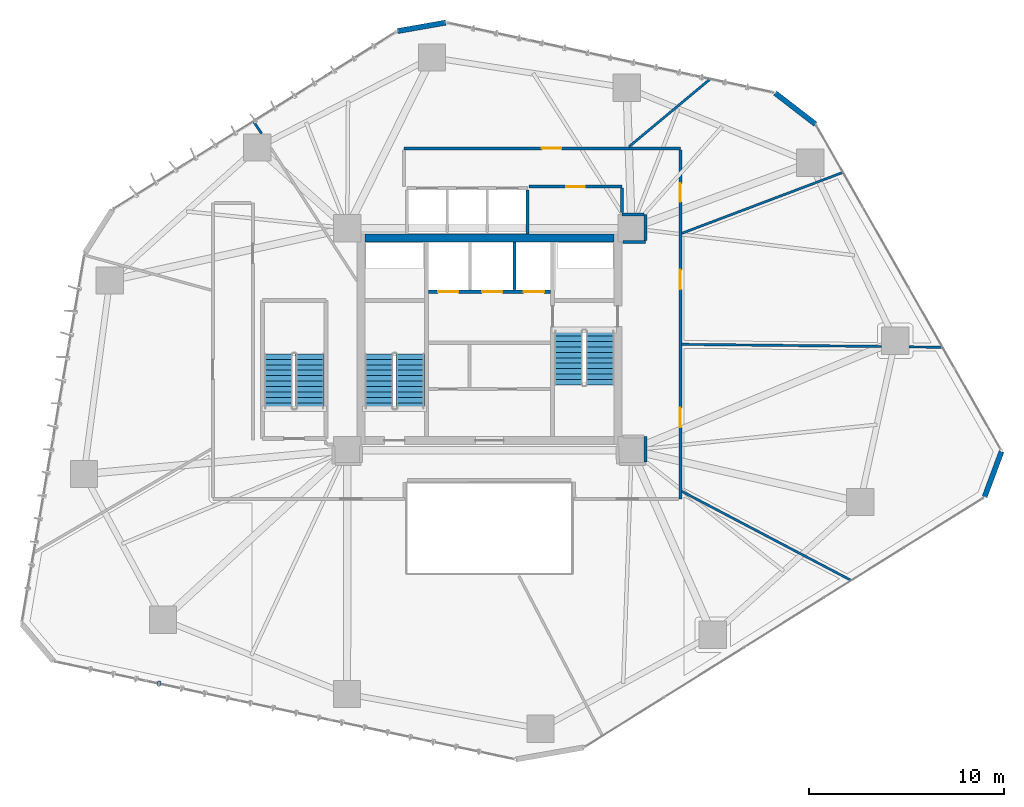
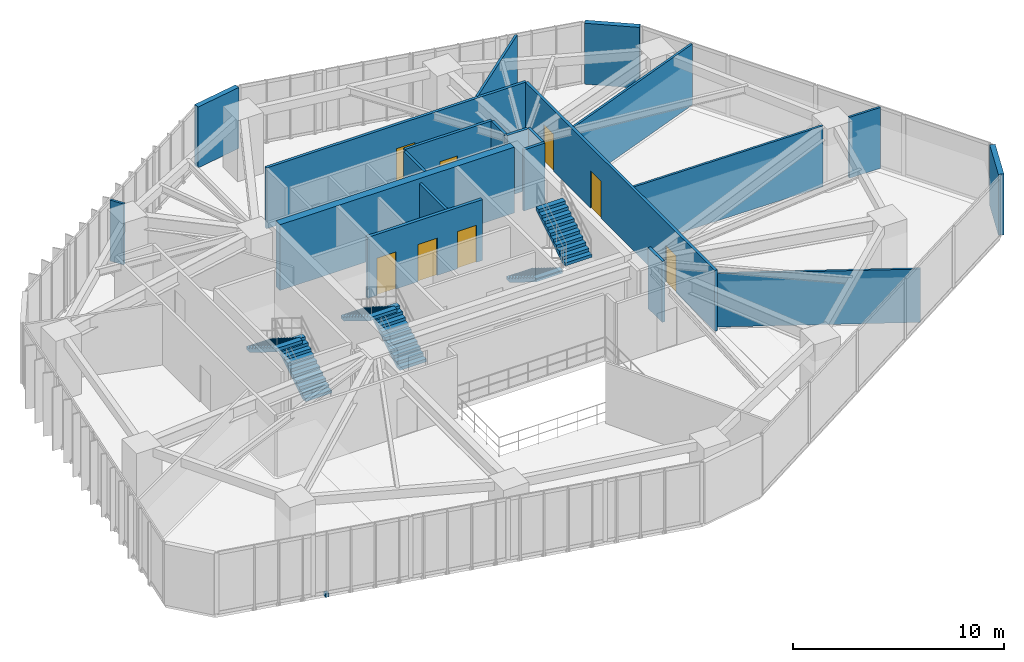
# One storey, part 18 of 22: 21 walls, 8 doors, 6 stair flights, 1 discrete accessory, 8 openings, 3 elements without a shape of their own.
"""IFC4 building model written with IfcOpenShell, lengths in metres."""

from ifc_helpers import new_model, si_unit, direction, frame, frame_2d, origin, origin_2d, place, context, subcontext, project, spatial, polyline, rectangle, outline, extrude, source, transform, mapped, material, layer, layer_set, type_object, type_shapes, element, fill, aggregate, save


model = new_model("IFC4")

# Units and contexts
model_context = context("Model", 3, precision=1e-05, world=origin(), true_north=direction((0.0, 1.0)))
body_context = subcontext(model_context, "Body", "Model", "MODEL_VIEW")
ifc_project = project(units=[si_unit("LENGTHUNIT", "METRE"), si_unit("AREAUNIT", "SQUARE_METRE"), si_unit("VOLUMEUNIT", "CUBIC_METRE"), si_unit("PLANEANGLEUNIT", "RADIAN"), si_unit("MASSUNIT", "GRAM", prefix="KILO")], contexts=[model_context])

# Site, building, storey
site_placement = place(None, origin())
site = spatial("IfcSite", under=ifc_project, at=site_placement, CompositionType="ELEMENT")
building_placement = place(site_placement, origin())
building = spatial("IfcBuilding", under=site, at=building_placement, Name="Talar Marvaseh", CompositionType="ELEMENT")
storey_placement = place(building_placement, frame((0.0, 0.0, 54.39990234375)))
storey = spatial("IfcBuildingStorey", under=building, at=storey_placement, Name="L13", CompositionType="ELEMENT", Elevation=54.39990234375)

# Walls
ifc_material_1 = material(Name="Precast concrete C45/55", Category="concrete")
ifc_layer_1 = layer(ifc_material_1, 0.27001953125)
ifc_layer_set_1 = layer_set([ifc_layer_1], Name="Precast concrete C45/55")
wall_type_1 = type_object("IfcWallType", Name="Chamfered Hexagonal Corner Pier Wall Z1 270", PredefinedType="SOLIDWALL", material=ifc_layer_set_1)
wall_1_placement = place(storey_placement, frame((21.279541015625, 47.027099609375, 0.0), z_axis=(0.0, 0.0, 1.0), x_axis=(0.984816754443, 0.173597120278, 0.0)))
element("IfcWall", 1, at=wall_1_placement, inside=storey, type_object=wall_type_1, Name="L13 Chamfered Corner Limestone Pier 3", PredefinedType="SOLIDWALL", context=body_context, shape_type="SweptSolid", body=[
    extrude(rectangle(XDim=2.515869140625, YDim=0.27001953125, at=frame_2d((1.2578125, 0.0))), origin(), (0.0, 0.0, 1.0), 3.52001953125),
])
wall_2_placement = place(storey_placement, frame((40.670654296875, 43.84619140625, 0.0), z_axis=(0.0, 0.0, 1.0), x_axis=(0.792000821983, -0.610520022586, 0.0)))
element("IfcWall", 2, at=wall_2_placement, inside=storey, type_object=wall_type_1, Name="L13 Chamfered Corner Limestone Pier 4", PredefinedType="SOLIDWALL", context=body_context, shape_type="SweptSolid", body=[
    extrude(rectangle(XDim=2.623291015625, YDim=0.27001953125, at=frame_2d((1.3115234375, 0.0))), origin(), (0.0, 0.0, 1.0), 3.52001953125),
])
wall_3_placement = place(storey_placement, frame((52.30029296875, 25.43310546875, 0.0), z_axis=(0.0, 0.0, 1.0), x_axis=(-0.349087024772, -0.937090310021, 0.0)))
element("IfcWall", 3, at=wall_3_placement, inside=storey, type_object=wall_type_1, Name="L13 Chamfered Corner Limestone Pier 5", PredefinedType="SOLIDWALL", context=body_context, shape_type="SweptSolid", body=[
    extrude(rectangle(XDim=2.484130859375, YDim=0.27001953125, at=frame_2d((1.2421875, 0.0))), origin(), (0.0, 0.0, 1.0), 3.52001953125),
])

# Wall, opening, door
ifc_material_2 = material(Name="Gypsum Board Partition Assembly")
ifc_layer_2 = layer(ifc_material_2, 0.155029296875)
ifc_layer_set_2 = layer_set([ifc_layer_2], Name="Gypsum Board Partition Assembly")
wall_type_2 = type_object("IfcWallType", Name="Corridor Fire-Rated Acoustic Partition 155", PredefinedType="PARTITIONING", material=ifc_layer_set_2)
wall_4_placement = place(storey_placement, frame((32.800048828125, 39.0400390625, 0.0), z_axis=(0.0, 0.0, 1.0), x_axis=(-1.0, 0.0, 0.0)))
wall_4 = element("IfcWall", 4, at=wall_4_placement, inside=storey, type_object=wall_type_2, Name="L13 Interior Partition Wall", PredefinedType="PARTITIONING", context=body_context, shape_type="SweptSolid", body=[
    extrude(rectangle(XDim=4.77001953125, YDim=0.155029296875, at=frame_2d((2.385009765625, 0.0))), origin(), (0.0, 0.0, 1.0), 3.52001953125),
])
opening_1_placement = place(wall_4_placement, frame((1.909912109375, 0.0, 0.0)))
opening_1 = element("IfcOpeningElement", 5, at=opening_1_placement, cuts=wall_4, Name="Opening DR-WC095", PredefinedType="OPENING", context=body_context, shape_type="SweptSolid", body=[
    extrude(rectangle(XDim=0.949951171875, YDim=2.14990234375, at=frame_2d((0.47509765625, 1.074951171875))), frame((0.0, 0.08740234375, 0.0), z_axis=(0.0, -1.0, 0.0), x_axis=(1.0, 0.0, 0.0)), (0.0, 0.0, 1.0), 0.175048828125),
])
ifc_material_3 = material(Name="Acoustic Engineered Oak Timber", Category="wood")
door_type_1 = type_object("IfcDoorType", Name="Washroom and Service Room Door 950x2150", OperationType="NOTDEFINED", PredefinedType="DOOR", material=ifc_material_3)
shared_shape_1 = source(origin(), body_context, "Body", "SweptSolid", [
    extrude(rectangle(XDim=0.949951171875, YDim=2.14990234375, at=frame_2d((0.47509765625, 1.074951171875))), frame((0.0, 0.02490234375, 0.0), z_axis=(0.0, -1.0, 0.0), x_axis=(1.0, 0.0, 0.0)), (0.0, 0.0, 1.0), 0.050048828125),
])
type_shapes(door_type_1, [shared_shape_1])
door_1_placement = place(opening_1_placement, origin())
door_1 = element("IfcDoor", 6, at=door_1_placement, inside=storey, type_object=door_type_1, Name="L13 WC Public Washrooms Door", OperationType="SINGLE_SWING_LEFT", OverallHeight=2.14990234375, OverallWidth=0.949951171875, PredefinedType="DOOR", context=body_context, shape_type="MappedRepresentation", body=[
    mapped(shared_shape_1, transform((0.0, 0.0, 0.0), x_axis=(1.0, 0.0, 0.0), y_axis=(0.0, 1.0, 0.0), z_axis=(0.0, 0.0, 1.0), scale=1.0)),
])
fill(opening_1, door_1)

wall_5_placement = place(storey_placement, frame((21.60009765625, 41.0, 0.0), z_axis=(0.0, 0.0, 1.0), x_axis=(1.0, 0.0, 0.0)))
wall_5 = element("IfcWall", 7, at=wall_5_placement, inside=storey, type_object=wall_type_2, Name="L13 Interior Partition Wall", PredefinedType="PARTITIONING", context=body_context, shape_type="SweptSolid", body=[
    extrude(rectangle(XDim=14.199951171875, YDim=0.155029296875, at=frame_2d((7.10009765625, 0.0))), origin(), (0.0, 0.0, 1.0), 3.52001953125),
])
opening_2_placement = place(wall_5_placement, frame((7.090087890625, 0.0, 0.0)))
opening_2 = element("IfcOpeningElement", 8, at=opening_2_placement, cuts=wall_5, Name="Opening DR-RM100", PredefinedType="OPENING", context=body_context, shape_type="SweptSolid", body=[
    extrude(rectangle(XDim=1.0, YDim=2.14990234375, at=frame_2d((0.5, 1.074951171875))), frame((0.0, 0.08740234375, 0.0), z_axis=(0.0, -1.0, 0.0), x_axis=(1.0, 0.0, 0.0)), (0.0, 0.0, 1.0), 0.175048828125),
])
door_type_2 = type_object("IfcDoorType", Name="Corridor Fire-Rated Gallery Door 1000x2150", OperationType="NOTDEFINED", PredefinedType="DOOR", material=ifc_material_3)
shared_shape_2 = source(origin(), body_context, "Body", "SweptSolid", [
    extrude(rectangle(XDim=1.0, YDim=2.14990234375, at=frame_2d((0.5, 1.074951171875))), frame((0.0, 0.02490234375, 0.0), z_axis=(0.0, -1.0, 0.0), x_axis=(1.0, 0.0, 0.0)), (0.0, 0.0, 1.0), 0.050048828125),
])
type_shapes(door_type_2, [shared_shape_2])
door_2_placement = place(opening_2_placement, origin())
door_2 = element("IfcDoor", 9, at=door_2_placement, inside=storey, type_object=door_type_2, Name="L13 Chamber Recital Salon Door", OperationType="SINGLE_SWING_RIGHT", OverallHeight=2.14990234375, OverallWidth=1.0, PredefinedType="DOOR", context=body_context, shape_type="MappedRepresentation", body=[
    mapped(shared_shape_2, transform((0.0, 0.0, 0.0), x_axis=(1.0, 0.0, 0.0), y_axis=(0.0, 1.0, 0.0), z_axis=(0.0, 0.0, 1.0), scale=1.0)),
])
fill(opening_2, door_2)

# Wall, openings, doors
wall_6_placement = place(storey_placement, frame((35.800048828125, 40.91650390625, 0.0), z_axis=(0.0, 0.0, 1.0), x_axis=(0.0, -1.0, 0.0)))
wall_6 = element("IfcWall", 10, at=wall_6_placement, inside=storey, type_object=wall_type_2, Name="L13 Interior Partition Wall", PredefinedType="PARTITIONING", context=body_context, shape_type="SweptSolid", body=[
    extrude(rectangle(XDim=17.91650390625, YDim=0.155029296875, at=frame_2d((8.958251953125, 0.0))), origin(), (0.0, 0.0, 1.0), 3.52001953125),
])
opening_3_placement = place(wall_6_placement, frame((13.242919921875, 0.0, 0.0)))
opening_3 = element("IfcOpeningElement", 11, at=opening_3_placement, cuts=wall_6, Name="Opening DR-RM100", PredefinedType="OPENING", context=body_context, shape_type="SweptSolid", body=[
    extrude(rectangle(XDim=1.0, YDim=2.14990234375, at=frame_2d((0.5, 1.074951171875))), frame((0.0, 0.08740234375, 0.0), z_axis=(0.0, -1.0, 0.0), x_axis=(1.0, 0.0, 0.0)), (0.0, 0.0, 1.0), 0.175048828125),
])
opening_4_placement = place(wall_6_placement, frame((6.158203125, 0.0, 0.0)))
opening_4 = element("IfcOpeningElement", 12, at=opening_4_placement, cuts=wall_6, Name="Opening DR-RM100", PredefinedType="OPENING", context=body_context, shape_type="SweptSolid", body=[
    extrude(rectangle(XDim=1.0, YDim=2.14990234375, at=frame_2d((0.5, 1.074951171875))), frame((0.0, 0.08740234375, 0.0), z_axis=(0.0, -1.0, 0.0), x_axis=(1.0, 0.0, 0.0)), (0.0, 0.0, 1.0), 0.175048828125),
])
opening_5_placement = place(wall_6_placement, frame((1.70458984375, 0.0, 0.0)))
opening_5 = element("IfcOpeningElement", 13, at=opening_5_placement, cuts=wall_6, Name="Opening DR-WC095", PredefinedType="OPENING", context=body_context, shape_type="SweptSolid", body=[
    extrude(rectangle(XDim=0.949951171875, YDim=2.14990234375, at=frame_2d((0.47509765625, 1.074951171875))), frame((0.0, 0.08740234375, 0.0), z_axis=(0.0, -1.0, 0.0), x_axis=(1.0, 0.0, 0.0)), (0.0, 0.0, 1.0), 0.175048828125),
])
door_3_placement = place(opening_5_placement, origin())
door_3 = element("IfcDoor", 14, at=door_3_placement, inside=storey, type_object=door_type_1, Name="L13 Accessible WC Block Door", OperationType="SINGLE_SWING_RIGHT", OverallHeight=2.14990234375, OverallWidth=0.949951171875, PredefinedType="DOOR", context=body_context, shape_type="MappedRepresentation", body=[
    mapped(shared_shape_1, transform((0.0, 0.0, 0.0), x_axis=(1.0, 0.0, 0.0), y_axis=(0.0, 1.0, 0.0), z_axis=(0.0, 0.0, 1.0), scale=1.0)),
])
fill(opening_5, door_3)
door_4_placement = place(opening_3_placement, origin())
door_4 = element("IfcDoor", 15, at=door_4_placement, inside=storey, type_object=door_type_2, Name="L13 Main Reading Room Door", OperationType="SINGLE_SWING_RIGHT", OverallHeight=2.14990234375, OverallWidth=1.0, PredefinedType="DOOR", context=body_context, shape_type="MappedRepresentation", body=[
    mapped(shared_shape_2, transform((0.0, 0.0, 0.0), x_axis=(1.0, 0.0, 0.0), y_axis=(0.0, 1.0, 0.0), z_axis=(0.0, 0.0, 1.0), scale=1.0)),
])
fill(opening_3, door_4)
door_5_placement = place(opening_4_placement, origin())
door_5 = element("IfcDoor", 16, at=door_5_placement, inside=storey, type_object=door_type_2, Name="L13 Visitor Orientation Foyer Door", OperationType="SINGLE_SWING_LEFT", OverallHeight=2.14990234375, OverallWidth=1.0, PredefinedType="DOOR", context=body_context, shape_type="MappedRepresentation", body=[
    mapped(shared_shape_2, transform((0.0, 0.0, 0.0), x_axis=(1.0, 0.0, 0.0), y_axis=(0.0, 1.0, 0.0), z_axis=(0.0, 0.0, 1.0), scale=1.0)),
])
fill(opening_4, door_5)

# Walls
wall_7_placement = place(storey_placement, frame((34.014892578125, 24.883544921875, 0.0), z_axis=(0.0, 0.0, 1.0), x_axis=(-0.002393659134, 0.999997135194, 0.0)))
element("IfcWall", 17, at=wall_7_placement, inside=storey, type_object=wall_type_2, Name="L13 Interior Partition Wall", PredefinedType="PARTITIONING", context=body_context, shape_type="SweptSolid", body=[
    extrude(rectangle(XDim=1.325927734375, YDim=0.155029296875, at=frame_2d((0.6630859375, 0.0))), origin(), (0.0, 0.0, 1.0), 3.52001953125),
])
wall_8_placement = place(storey_placement, frame((32.8701171875, 36.18505859375, 0.0), z_axis=(0.0, 0.0, 1.0), x_axis=(0.999988932255, 0.00470482389, 0.0)))
element("IfcWall", 18, at=wall_8_placement, inside=storey, type_object=wall_type_2, Name="L13 Interior Partition Wall", PredefinedType="PARTITIONING", context=body_context, shape_type="SweptSolid", body=[
    extrude(rectangle(XDim=1.1416015625, YDim=0.155029296875, at=frame_2d((0.57080078125, 0.0))), origin(), (0.0, 0.0, 1.0), 3.52001953125),
])
wall_9_placement = place(storey_placement, frame((34.01171875, 36.27392578125, 0.0), z_axis=(0.0, 0.0, 1.0), x_axis=(0.0, 1.0, 0.0)))
element("IfcWall", 19, at=wall_9_placement, inside=storey, type_object=wall_type_2, Name="L13 Interior Partition Wall", PredefinedType="PARTITIONING", context=body_context, shape_type="SweptSolid", body=[
    extrude(rectangle(XDim=1.335693359375, YDim=0.155029296875, at=frame_2d((0.66796875, 0.0))), origin(), (0.0, 0.0, 1.0), 3.52001953125),
])
wall_10_placement = place(storey_placement, frame((33.927978515625, 37.60986328125, 0.0), z_axis=(0.0, 0.0, 1.0), x_axis=(-0.999989669582, 0.004545407589, 0.0)))
element("IfcWall", 20, at=wall_10_placement, inside=storey, type_object=wall_type_2, Name="L13 Interior Partition Wall", PredefinedType="PARTITIONING", context=body_context, shape_type="SweptSolid", body=[
    extrude(rectangle(XDim=1.1279296875, YDim=0.155029296875, at=frame_2d((0.56396484375, 0.0))), origin(), (0.0, 0.0, 1.0), 3.52001953125),
])
wall_11_placement = place(storey_placement, frame((32.800048828125, 37.698486328125, 0.0), z_axis=(0.0, 0.0, 1.0), x_axis=(0.0, 1.0, 0.0)))
element("IfcWall", 21, at=wall_11_placement, inside=storey, type_object=wall_type_2, Name="L13 Interior Partition Wall", PredefinedType="PARTITIONING", context=body_context, shape_type="SweptSolid", body=[
    extrude(rectangle(XDim=1.258056640625, YDim=0.155029296875, at=frame_2d((0.62890625, 0.0))), origin(), (0.0, 0.0, 1.0), 3.52001953125),
])
ifc_layer_3 = layer(ifc_material_2, 0.1201171875)
ifc_layer_set_3 = layer_set([ifc_layer_3], Name="Gypsum Board Partition Assembly")
wall_type_3 = type_object("IfcWallType", Name="Demountable Studio Room Partition 120", PredefinedType="PARTITIONING", material=ifc_layer_set_3)
wall_12_placement = place(storey_placement, frame((35.883544921875, 23.385986328125, 0.0), z_axis=(0.0, 0.0, 1.0), x_axis=(0.885174651258, -0.465258892198, 0.0)))
element("IfcWall", 22, at=wall_12_placement, inside=storey, type_object=wall_type_3, Name="L13 Interior Partition Wall", PredefinedType="PARTITIONING", context=body_context, shape_type="SweptSolid", body=[
    extrude(rectangle(XDim=9.8046875, YDim=0.1201171875, at=frame_2d((4.90234375, 0.0))), origin(), (0.0, 0.0, 1.0), 3.08203125),
])
wall_13_placement = place(storey_placement, frame((35.864990234375, 30.939208984375, 0.0), z_axis=(0.0, 0.0, 1.0), x_axis=(0.999943490753, -0.01063086551, 0.0)))
element("IfcWall", 23, at=wall_13_placement, inside=storey, type_object=wall_type_3, Name="L13 Interior Partition Wall", PredefinedType="PARTITIONING", context=body_context, shape_type="SweptSolid", body=[
    extrude(rectangle(XDim=10.265380859375, YDim=0.1201171875, at=frame_2d((5.1328125, 0.0))), origin(), (0.0, 0.0, 1.0), 3.52001953125),
])
wall_14_placement = place(storey_placement, frame((47.56005859375, 30.81005859375, 0.0), z_axis=(0.0, 0.0, 1.0), x_axis=(0.999908018748, -0.013562965911, 0.0)))
element("IfcWall", 24, at=wall_14_placement, inside=storey, type_object=wall_type_3, Name="L13 Interior Partition Wall", PredefinedType="PARTITIONING", context=body_context, shape_type="SweptSolid", body=[
    extrude(rectangle(XDim=1.692138671875, YDim=0.1201171875, at=frame_2d((0.84619140625, 0.0))), origin(), (0.0, 0.0, 1.0), 3.52001953125),
])
wall_15_placement = place(storey_placement, frame((35.883544921875, 36.6416015625, 0.0), z_axis=(0.0, 0.0, 1.0), x_axis=(0.93534093916, 0.353747547739, 0.0)))
element("IfcWall", 25, at=wall_15_placement, inside=storey, type_object=wall_type_3, Name="L13 Interior Partition Wall", PredefinedType="PARTITIONING", context=body_context, shape_type="SweptSolid", body=[
    extrude(rectangle(XDim=8.824951171875, YDim=0.1201171875, at=frame_2d((4.41259765625, 0.0))), origin(), (0.0, 0.0, 1.0), 3.52001953125),
])
wall_16_placement = place(storey_placement, frame((33.16015625, 41.08349609375, 0.0), z_axis=(0.0, 0.0, 1.0), x_axis=(0.768224976482, 0.640179963376, 0.0)))
element("IfcWall", 26, at=wall_16_placement, inside=storey, type_object=wall_type_3, Name="L13 Interior Partition Wall", PredefinedType="PARTITIONING", context=body_context, shape_type="SweptSolid", body=[
    extrude(rectangle(XDim=5.4130859375, YDim=0.1201171875, at=frame_2d((2.70654296875, 0.0))), origin(), (0.0, 0.0, 1.0), 3.52001953125),
])
wall_17_placement = place(storey_placement, frame((14.300048828125, 41.760009765625, 0.0), z_axis=(0.0, 0.0, 1.0), x_axis=(-0.550643837599, 0.834740297406, 0.0)))
element("IfcWall", 27, at=wall_17_placement, inside=storey, type_object=wall_type_3, Name="L13 Interior Partition Wall", PredefinedType="PARTITIONING", context=body_context, shape_type="SweptSolid", body=[
    extrude(rectangle(XDim=0.7373046875, YDim=0.1201171875, at=frame_2d((0.36865234375, 0.0))), origin(), (0.0, 0.0, 1.0), 3.52001953125),
])
ifc_layer_4 = layer(ifc_material_1, 0.14501953125)
ifc_layer_set_4 = layer_set([ifc_layer_4], Name="Precast concrete C45/55")
wall_type_4 = type_object("IfcWallType", Name="Fire-Rated Lift Divider Wall 145", PredefinedType="SOLIDWALL", material=ifc_layer_set_4)
wall_18_placement = place(storey_placement, frame((27.280029296875, 33.743408203125, 0.0), z_axis=(0.0, 0.0, 1.0), x_axis=(0.0, 1.0, 0.0)))
element("IfcWall", 28, at=wall_18_placement, inside=storey, type_object=wall_type_4, Name="L13 FFL-2/SVL-1 Divider", PredefinedType="SOLIDWALL", context=body_context, shape_type="SweptSolid", body=[
    extrude(rectangle(XDim=2.45654296875, YDim=0.14501953125, at=frame_2d((1.228271484375, 0.0))), origin(), (0.0, 0.0, 1.0), 3.52001953125),
])
wall_19_placement = place(storey_placement, frame((27.9599609375, 36.60009765625, 0.0), z_axis=(0.0, 0.0, 1.0), x_axis=(0.0, 1.0, 0.0)))
element("IfcWall", 29, at=wall_19_placement, inside=storey, type_object=wall_type_4, Name="L13 Low-Rise Bank East Wall", PredefinedType="SOLIDWALL", context=body_context, shape_type="SweptSolid", body=[
    extrude(rectangle(XDim=2.266357421875, YDim=0.14501953125, at=frame_2d((1.13330078125, 0.0))), origin(), (0.0, 0.0, 1.0), 3.52001953125),
])

# Wall, openings, doors
ifc_layer_5 = layer(ifc_material_1, 0.175048828125)
ifc_layer_set_5 = layer_set([ifc_layer_5], Name="Precast concrete C45/55")
wall_type_5 = type_object("IfcWallType", Name="Fire-Rated Lift Hoistway Enclosure Wall 175", PredefinedType="SOLIDWALL", material=ifc_layer_set_5)
wall_20_placement = place(storey_placement, frame((22.860107421875, 33.64990234375, 0.0), z_axis=(0.0, 0.0, 1.0), x_axis=(1.0, 0.0, 0.0)))
wall_20 = element("IfcWall", 30, at=wall_20_placement, inside=storey, type_object=wall_type_5, Name="L13 Firefighting and Service Lift Front Wall", PredefinedType="SOLIDWALL", context=body_context, shape_type="SweptSolid", body=[
    extrude(rectangle(XDim=6.27978515625, YDim=0.175048828125, at=frame_2d((3.139892578125, 0.0))), origin(), (0.0, 0.0, 1.0), 3.52001953125),
])
opening_6_placement = place(wall_20_placement, frame((0.5, 0.0, 0.0)))
opening_6 = element("IfcOpeningElement", 31, at=opening_6_placement, cuts=wall_20, Name="Opening LD-FF1", PredefinedType="OPENING", context=body_context, shape_type="SweptSolid", body=[
    extrude(rectangle(XDim=1.050048828125, YDim=2.14990234375, at=frame_2d((0.52490234375, 1.074951171875))), frame((0.0, 0.09765625, 0.0), z_axis=(0.0, -1.0, 0.0), x_axis=(1.0, 0.0, 0.0)), (0.0, 0.0, 1.0), 0.195068359375),
])
opening_7_placement = place(wall_20_placement, frame((2.760009765625, 0.0, 0.0)))
opening_7 = element("IfcOpeningElement", 32, at=opening_7_placement, cuts=wall_20, Name="Opening LD-FF2", PredefinedType="OPENING", context=body_context, shape_type="SweptSolid", body=[
    extrude(rectangle(XDim=1.050048828125, YDim=2.14990234375, at=frame_2d((0.52490234375, 1.074951171875))), frame((0.0, 0.09765625, 0.0), z_axis=(0.0, -1.0, 0.0), x_axis=(1.0, 0.0, 0.0)), (0.0, 0.0, 1.0), 0.195068359375),
])
opening_8_placement = place(wall_20_placement, frame((4.89990234375, 0.0, 0.0)))
opening_8 = element("IfcOpeningElement", 33, at=opening_8_placement, cuts=wall_20, Name="Opening LD-SV1", PredefinedType="OPENING", context=body_context, shape_type="SweptSolid", body=[
    extrude(rectangle(XDim=1.050048828125, YDim=2.14990234375, at=frame_2d((0.52490234375, 1.074951171875))), frame((0.0, 0.09765625, 0.0), z_axis=(0.0, -1.0, 0.0), x_axis=(1.0, 0.0, 0.0)), (0.0, 0.0, 1.0), 0.195068359375),
])
ifc_material_4 = material(Name="Stainless Steel Grade 316", Category="steel")
door_type_3 = type_object("IfcDoorType", Name="Automatic Sliding Lift Landing Door 1050x2150", OperationType="NOTDEFINED", PredefinedType="DOOR", material=ifc_material_4)
shared_shape_3 = source(origin(), body_context, "Body", "SweptSolid", [
    extrude(rectangle(XDim=1.050048828125, YDim=2.14990234375, at=frame_2d((0.52490234375, 1.074951171875))), frame((0.0, 0.02490234375, 0.0), z_axis=(0.0, -1.0, 0.0), x_axis=(1.0, 0.0, 0.0)), (0.0, 0.0, 1.0), 0.050048828125),
])
type_shapes(door_type_3, [shared_shape_3])
door_6_placement = place(opening_6_placement, origin())
door_6 = element("IfcDoor", 34, at=door_6_placement, inside=storey, type_object=door_type_3, Name="L13 Lift FFL-1 Sliding Landing Door", OperationType="SLIDING_TO_LEFT", OverallHeight=2.14990234375, OverallWidth=1.050048828125, PredefinedType="DOOR", context=body_context, shape_type="MappedRepresentation", body=[
    mapped(shared_shape_3, transform((0.0, 0.0, 0.0), x_axis=(1.0, 0.0, 0.0), y_axis=(0.0, 1.0, 0.0), z_axis=(0.0, 0.0, 1.0), scale=1.0)),
])
fill(opening_6, door_6)
door_7_placement = place(opening_7_placement, origin())
door_7 = element("IfcDoor", 35, at=door_7_placement, inside=storey, type_object=door_type_3, Name="L13 Lift FFL-2 Sliding Landing Door", OperationType="SLIDING_TO_LEFT", OverallHeight=2.14990234375, OverallWidth=1.050048828125, PredefinedType="DOOR", context=body_context, shape_type="MappedRepresentation", body=[
    mapped(shared_shape_3, transform((0.0, 0.0, 0.0), x_axis=(1.0, 0.0, 0.0), y_axis=(0.0, 1.0, 0.0), z_axis=(0.0, 0.0, 1.0), scale=1.0)),
])
fill(opening_7, door_7)
door_8_placement = place(opening_8_placement, origin())
door_8 = element("IfcDoor", 36, at=door_8_placement, inside=storey, type_object=door_type_3, Name="L13 Lift SVL-1 Sliding Landing Door", OperationType="SLIDING_TO_LEFT", OverallHeight=2.14990234375, OverallWidth=1.050048828125, PredefinedType="DOOR", context=body_context, shape_type="MappedRepresentation", body=[
    mapped(shared_shape_3, transform((0.0, 0.0, 0.0), x_axis=(1.0, 0.0, 0.0), y_axis=(0.0, 1.0, 0.0), z_axis=(0.0, 0.0, 1.0), scale=1.0)),
])
fill(opening_8, door_8)

# Wall
ifc_material_5 = material(Name="Concrete C70/85", Category="concrete")
ifc_layer_6 = layer(ifc_material_5, 0.39990234375)
ifc_layer_set_6 = layer_set([ifc_layer_6], Name="Concrete C70/85")
wall_type_6 = type_object("IfcWallType", Name="Lower Core Reinforced Concrete Shear Wall 400", PredefinedType="SHEAR", material=ifc_layer_set_6)
wall_21_placement = place(storey_placement, frame((19.60009765625, 36.39990234375, 0.0), z_axis=(0.0, 0.0, 1.0), x_axis=(1.0, 0.0, 0.0)))
element("IfcWall", 37, at=wall_21_placement, inside=storey, type_object=wall_type_6, Name="L13 North Core Shear Wall", PredefinedType="SHEAR", context=body_context, shape_type="SweptSolid", body=[
    extrude(rectangle(XDim=12.7998046875, YDim=0.39990234375, at=frame_2d((6.39990234375, 0.0))), origin(), (0.0, 0.0, 1.0), 3.800048828125),
])

# Stair, stair flights
ifc_material_6 = material(Name="Concrete C40/50", Category="concrete")
stair_type = type_object("IfcStairType", Name="Reinforced Concrete Half-Turn Exit Stair Type B", PredefinedType="HALF_TURN_STAIR", material=ifc_material_6)
stair_1_placement = place(storey_placement, origin())
stair_1 = element("IfcStair", 38, at=stair_1_placement, inside=storey, type_object=stair_type, Name="L13 Tower West Core Exit Stair", PredefinedType="HALF_TURN_STAIR")
ifc_layer_7 = layer(ifc_material_6, 0.159912109375)
ifc_layer_set_7 = layer_set([ifc_layer_7], Name="Concrete C40/50")
stair_flight_type = type_object("IfcStairFlightType", Name="Reinforced Concrete Straight Stair Flight 160", PredefinedType="STRAIGHT", material=ifc_layer_set_7)
stair_flight_1_placement = place(storey_placement, frame((21.93505859375, 27.64990234375, 0.0), z_axis=(0.0, 0.0, 1.0), x_axis=(0.0, 1.0, 0.0)))
stair_flight_1 = element("IfcStairFlight", 39, at=stair_flight_1_placement, type_object=stair_flight_type, Name="ST-1 flight 1", NumberOfRisers=11, NumberOfTreads=10, PredefinedType="STRAIGHT", RiserHeight=0.172727273, TreadLength=0.28, context=body_context, shape_type="SweptSolid", body=[
    extrude(outline(polyline([(0.0, 0.0), (0.0, 0.172607421875), (0.280029296875, 0.172607421875), (0.280029296875, 0.345458984375), (0.56005859375, 0.345458984375), (0.56005859375, 0.51806640625), (0.840087890625, 0.51806640625), (0.840087890625, 0.69091796875), (1.1201171875, 0.69091796875), (1.1201171875, 0.863525390625), (1.39990234375, 0.863525390625), (1.39990234375, 1.036376953125), (1.679931640625, 1.036376953125), (1.679931640625, 1.208984375), (1.9599609375, 1.208984375), (1.9599609375, 1.3818359375), (2.239990234375, 1.3818359375), (2.239990234375, 1.554443359375), (2.52001953125, 1.554443359375), (2.52001953125, 1.727294921875), (2.800048828125, 1.727294921875), (2.800048828125, 1.89990234375), (2.800048828125, 1.539306640625), (0.3046875, 0.0), (0.0, 0.0)])), frame((0.0, 0.72509765625, 0.0), z_axis=(0.0, -1.0, 0.0), x_axis=(1.0, 0.0, 0.0)), (0.0, 0.0, 1.0), 1.449951171875),
])
stair_flight_2_placement = place(storey_placement, frame((20.324951171875, 30.449951171875, 1.900146484375), z_axis=(0.0, 0.0, 1.0), x_axis=(0.0, -1.0, 0.0)))
stair_flight_2 = element("IfcStairFlight", 40, at=stair_flight_2_placement, type_object=stair_flight_type, Name="ST-1 flight 2", NumberOfRisers=11, NumberOfTreads=10, PredefinedType="STRAIGHT", RiserHeight=0.172727273, TreadLength=0.28, context=body_context, shape_type="SweptSolid", body=[
    extrude(outline(polyline([(0.0, 0.0), (0.0, 0.172607421875), (0.280029296875, 0.172607421875), (0.280029296875, 0.345458984375), (0.56005859375, 0.345458984375), (0.56005859375, 0.51806640625), (0.840087890625, 0.51806640625), (0.840087890625, 0.69091796875), (1.1201171875, 0.69091796875), (1.1201171875, 0.863525390625), (1.39990234375, 0.863525390625), (1.39990234375, 1.036376953125), (1.679931640625, 1.036376953125), (1.679931640625, 1.208984375), (1.9599609375, 1.208984375), (1.9599609375, 1.3818359375), (2.239990234375, 1.3818359375), (2.239990234375, 1.554443359375), (2.52001953125, 1.554443359375), (2.52001953125, 1.727294921875), (2.800048828125, 1.727294921875), (2.800048828125, 1.89990234375), (2.800048828125, 1.539306640625), (0.3046875, 0.0), (0.0, 0.0)])), frame((0.0, 0.72509765625, 0.0), z_axis=(0.0, -1.0, 0.0), x_axis=(1.0, 0.0, 0.0)), (0.0, 0.0, 1.0), 1.449951171875),
])
aggregate(stair_1, [stair_flight_1, stair_flight_2])

stair_2_placement = place(storey_placement, origin())
stair_2 = element("IfcStair", 41, at=stair_2_placement, inside=storey, type_object=stair_type, Name="L13 Tower East Core Exit Stair", PredefinedType="HALF_TURN_STAIR")
stair_flight_3_placement = place(storey_placement, frame((30.06494140625, 31.64990234375, 0.0), z_axis=(0.0, 0.0, 1.0), x_axis=(0.0, -1.0, 0.0)))
stair_flight_3 = element("IfcStairFlight", 42, at=stair_flight_3_placement, type_object=stair_flight_type, Name="ST-2 flight 1", NumberOfRisers=11, NumberOfTreads=10, PredefinedType="STRAIGHT", RiserHeight=0.172727273, TreadLength=0.28, context=body_context, shape_type="SweptSolid", body=[
    extrude(outline(polyline([(0.0, 0.0), (0.0, 0.172607421875), (0.280029296875, 0.172607421875), (0.280029296875, 0.345458984375), (0.56005859375, 0.345458984375), (0.56005859375, 0.51806640625), (0.840087890625, 0.51806640625), (0.840087890625, 0.69091796875), (1.1201171875, 0.69091796875), (1.1201171875, 0.863525390625), (1.39990234375, 0.863525390625), (1.39990234375, 1.036376953125), (1.679931640625, 1.036376953125), (1.679931640625, 1.208984375), (1.9599609375, 1.208984375), (1.9599609375, 1.3818359375), (2.239990234375, 1.3818359375), (2.239990234375, 1.554443359375), (2.52001953125, 1.554443359375), (2.52001953125, 1.727294921875), (2.800048828125, 1.727294921875), (2.800048828125, 1.89990234375), (2.800048828125, 1.539306640625), (0.3046875, 0.0), (0.0, 0.0)])), frame((0.0, 0.72509765625, 0.0), z_axis=(0.0, -1.0, 0.0), x_axis=(1.0, 0.0, 0.0)), (0.0, 0.0, 1.0), 1.449951171875),
])
stair_flight_4_placement = place(storey_placement, frame((31.675048828125, 28.85009765625, 1.900146484375), z_axis=(0.0, 0.0, 1.0), x_axis=(0.0, 1.0, 0.0)))
stair_flight_4 = element("IfcStairFlight", 43, at=stair_flight_4_placement, type_object=stair_flight_type, Name="ST-2 flight 2", NumberOfRisers=11, NumberOfTreads=10, PredefinedType="STRAIGHT", RiserHeight=0.172727273, TreadLength=0.28, context=body_context, shape_type="SweptSolid", body=[
    extrude(outline(polyline([(0.0, 0.0), (0.0, 0.172607421875), (0.280029296875, 0.172607421875), (0.280029296875, 0.345458984375), (0.56005859375, 0.345458984375), (0.56005859375, 0.51806640625), (0.840087890625, 0.51806640625), (0.840087890625, 0.69091796875), (1.1201171875, 0.69091796875), (1.1201171875, 0.863525390625), (1.39990234375, 0.863525390625), (1.39990234375, 1.036376953125), (1.679931640625, 1.036376953125), (1.679931640625, 1.208984375), (1.9599609375, 1.208984375), (1.9599609375, 1.3818359375), (2.239990234375, 1.3818359375), (2.239990234375, 1.554443359375), (2.52001953125, 1.554443359375), (2.52001953125, 1.727294921875), (2.800048828125, 1.727294921875), (2.800048828125, 1.89990234375), (2.800048828125, 1.539306640625), (0.3046875, 0.0), (0.0, 0.0)])), frame((0.0, 0.72509765625, 0.0), z_axis=(0.0, -1.0, 0.0), x_axis=(1.0, 0.0, 0.0)), (0.0, 0.0, 1.0), 1.449951171875),
])
aggregate(stair_2, [stair_flight_3, stair_flight_4])

stair_3_placement = place(storey_placement, origin())
stair_3 = element("IfcStair", 44, at=stair_3_placement, inside=storey, type_object=stair_type, Name="L13 Museum & Podium Auxiliary Exit Stair", PredefinedType="HALF_TURN_STAIR")
stair_flight_5_placement = place(storey_placement, frame((16.77490234375, 27.64990234375, 0.0), z_axis=(0.0, 0.0, 1.0), x_axis=(0.0, 1.0, 0.0)))
stair_flight_5 = element("IfcStairFlight", 45, at=stair_flight_5_placement, type_object=stair_flight_type, Name="ST-3 flight 1", NumberOfRisers=11, NumberOfTreads=10, PredefinedType="STRAIGHT", RiserHeight=0.172727273, TreadLength=0.28, context=body_context, shape_type="SweptSolid", body=[
    extrude(outline(polyline([(0.0, 0.0), (0.0, 0.172607421875), (0.280029296875, 0.172607421875), (0.280029296875, 0.345458984375), (0.56005859375, 0.345458984375), (0.56005859375, 0.51806640625), (0.840087890625, 0.51806640625), (0.840087890625, 0.69091796875), (1.1201171875, 0.69091796875), (1.1201171875, 0.863525390625), (1.39990234375, 0.863525390625), (1.39990234375, 1.036376953125), (1.679931640625, 1.036376953125), (1.679931640625, 1.208984375), (1.9599609375, 1.208984375), (1.9599609375, 1.3818359375), (2.239990234375, 1.3818359375), (2.239990234375, 1.554443359375), (2.52001953125, 1.554443359375), (2.52001953125, 1.727294921875), (2.800048828125, 1.727294921875), (2.800048828125, 1.89990234375), (2.800048828125, 1.539306640625), (0.3046875, 0.0), (0.0, 0.0)])), frame((0.0, 0.72509765625, 0.0), z_axis=(0.0, -1.0, 0.0), x_axis=(1.0, 0.0, 0.0)), (0.0, 0.0, 1.0), 1.449951171875),
])
stair_flight_6_placement = place(storey_placement, frame((15.1650390625, 30.449951171875, 1.900146484375), z_axis=(0.0, 0.0, 1.0), x_axis=(0.0, -1.0, 0.0)))
stair_flight_6 = element("IfcStairFlight", 46, at=stair_flight_6_placement, type_object=stair_flight_type, Name="ST-3 flight 2", NumberOfRisers=11, NumberOfTreads=10, PredefinedType="STRAIGHT", RiserHeight=0.172727273, TreadLength=0.28, context=body_context, shape_type="SweptSolid", body=[
    extrude(outline(polyline([(0.0, 0.0), (0.0, 0.172607421875), (0.280029296875, 0.172607421875), (0.280029296875, 0.345458984375), (0.56005859375, 0.345458984375), (0.56005859375, 0.51806640625), (0.840087890625, 0.51806640625), (0.840087890625, 0.69091796875), (1.1201171875, 0.69091796875), (1.1201171875, 0.863525390625), (1.39990234375, 0.863525390625), (1.39990234375, 1.036376953125), (1.679931640625, 1.036376953125), (1.679931640625, 1.208984375), (1.9599609375, 1.208984375), (1.9599609375, 1.3818359375), (2.239990234375, 1.3818359375), (2.239990234375, 1.554443359375), (2.52001953125, 1.554443359375), (2.52001953125, 1.727294921875), (2.800048828125, 1.727294921875), (2.800048828125, 1.89990234375), (2.800048828125, 1.539306640625), (0.3046875, 0.0), (0.0, 0.0)])), frame((0.0, 0.72509765625, 0.0), z_axis=(0.0, -1.0, 0.0), x_axis=(1.0, 0.0, 0.0)), (0.0, 0.0, 1.0), 1.449951171875),
])
aggregate(stair_3, [stair_flight_5, stair_flight_6])

# Discrete accessory
discrete_accessory_type = type_object("IfcDiscreteAccessoryType", Name="Stainless Slab-Edge Fin Mounting Bracket", PredefinedType="BRACKET", material=ifc_material_4)
shared_shape_4 = source(origin(), body_context, "Body", "SweptSolid", [
    extrude(rectangle(XDim=0.239990234375, YDim=0.179931640625, at=origin_2d()), origin(), (0.0, 0.0, 1.0), 0.199951171875),
])
type_shapes(discrete_accessory_type, [shared_shape_4])
discrete_accessory_placement = place(storey_placement, frame((9.0341796875, 13.52587890625, -0.1796875), z_axis=(0.0, 0.0, 1.0), x_axis=(-0.20774096869, -0.978183873271, 0.0)))
element("IfcDiscreteAccessory", 47, at=discrete_accessory_placement, inside=storey, type_object=discrete_accessory_type, Name="L13 Vertical Fin Slab-Edge Bracket", PredefinedType="BRACKET", context=body_context, shape_type="MappedRepresentation", body=[
    mapped(shared_shape_4, transform((0.0, 0.0, 0.0), x_axis=(1.0, 0.0, 0.0), y_axis=(0.0, 1.0, 0.0), z_axis=(0.0, 0.0, 1.0), scale=1.0)),
])

save(model, "model.ifc")
